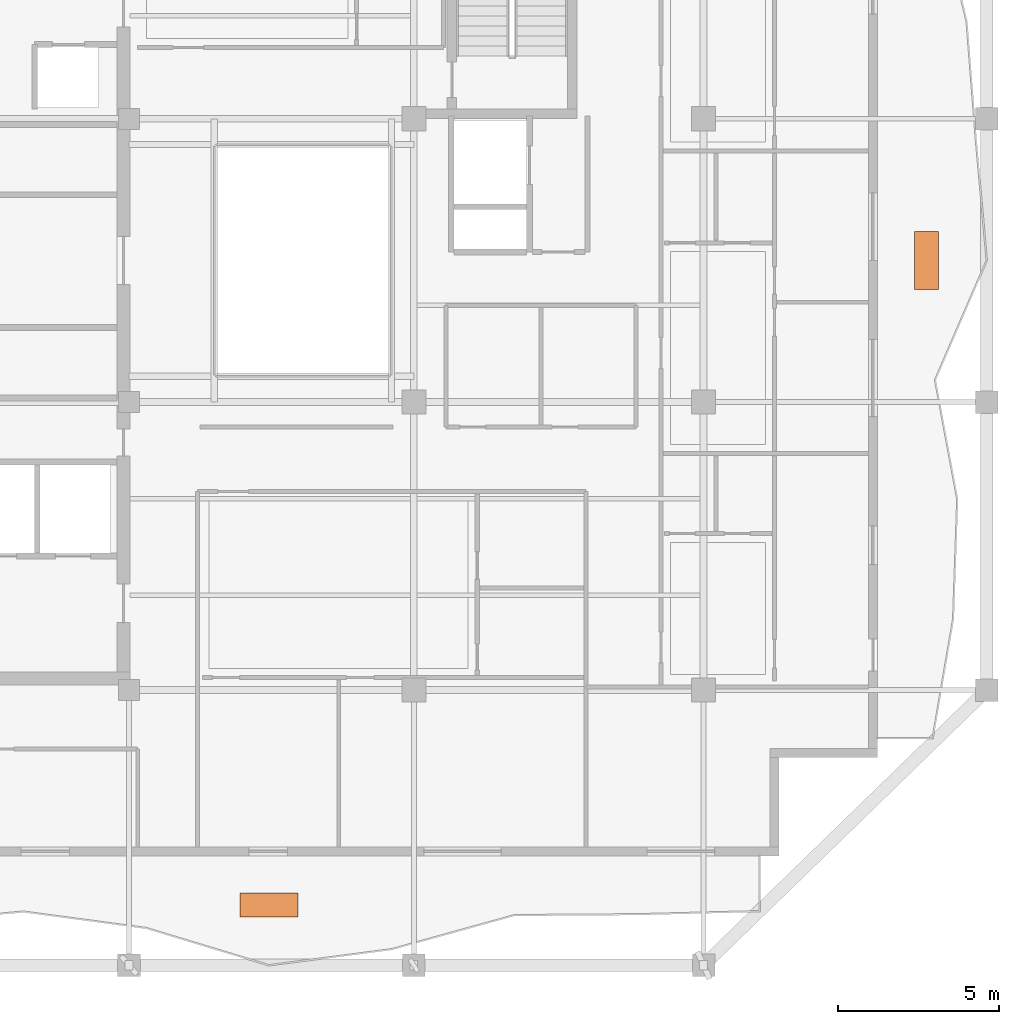
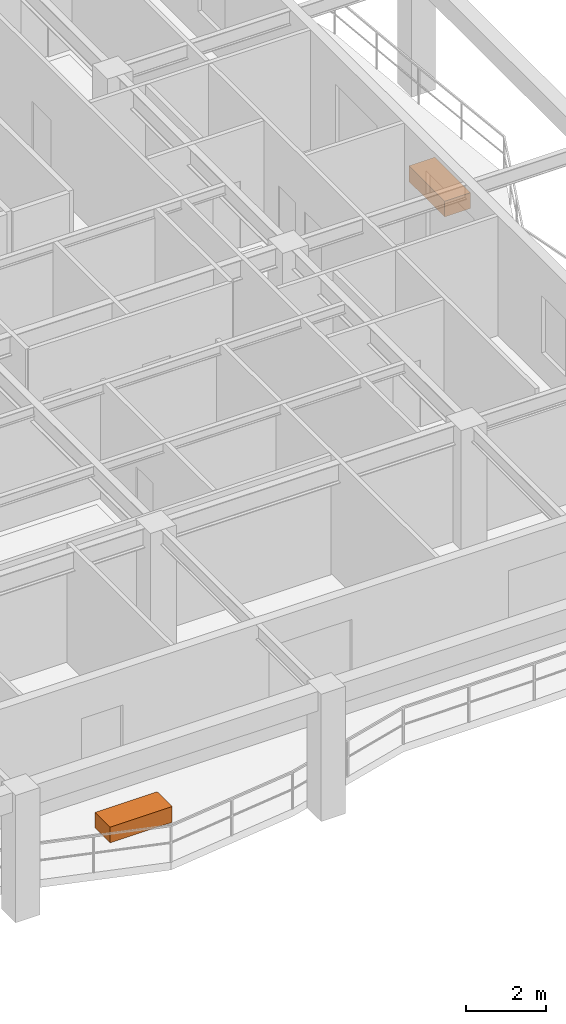
# One storey, part 10 of 10: 2 proxies.
"""IFC4 building model written with IfcOpenShell, lengths in metres."""

from ifc_helpers import new_model, si_unit, direction, frame, origin, origin_2d, place, context, subcontext, project, spatial, rectangle, extrude, material, type_object, element, save


model = new_model("IFC4")

# Units and contexts
model_context = context("Model", 3, precision=1e-05, world=origin(), true_north=direction((0.0, 1.0)))
body_context = subcontext(model_context, "Body", "Model", "MODEL_VIEW")
ifc_project = project(units=[si_unit("LENGTHUNIT", "METRE"), si_unit("AREAUNIT", "SQUARE_METRE"), si_unit("VOLUMEUNIT", "CUBIC_METRE"), si_unit("PLANEANGLEUNIT", "RADIAN"), si_unit("MASSUNIT", "GRAM", prefix="KILO")], contexts=[model_context])

# Site, building, storey
site_placement = place(None, origin())
site = spatial("IfcSite", under=ifc_project, at=site_placement, CompositionType="ELEMENT")
building_placement = place(site_placement, origin())
building = spatial("IfcBuilding", under=site, at=building_placement, Name="Kundavana Baori Tower", CompositionType="ELEMENT")
storey_placement = place(building_placement, frame((0.0, 0.0, 292.10009765625)))
storey = spatial("IfcBuildingStorey", under=building, at=storey_placement, Name="L72", CompositionType="ELEMENT", Elevation=292.10009765625)

# Proxies
ifc_material = material(Name="Red-Buff Dholpur Sandstone Cladding on Concrete C40/50", Category="masonry")
building_element_proxy_type = type_object("IfcBuildingElementProxyType", Name="PRX-PLANTER-1800", PredefinedType="USERDEFINED", material=ifc_material)
for number, where, z_axis, x_axis, name in (
    (1, (29.300048828125, 8.570068359375, 0.0), (0.0, 0.0, 1.0), (1.0, 0.0, 0.0), "L72 Dholpur Stone Structural Tree Planter S"),
    (2, (49.72998046875, 28.60009765625, 0.0), (0.0, 0.0, 1.0), (0.0, 1.0, 0.0), "L72 Dholpur Stone Structural Tree Planter E"),
):
    element("IfcBuildingElementProxy", number, at=place(storey_placement, frame(where, z_axis=z_axis, x_axis=x_axis)), inside=storey, type_object=building_element_proxy_type, Name=name, ObjectType="PLANTER", PredefinedType="USERDEFINED", context=body_context, shape_type="SweptSolid", body=[
        extrude(rectangle(XDim=1.800048828125, YDim=0.75, at=origin_2d()), origin(), (0.0, 0.0, 1.0), 0.47998046875),
    ])

save(model, "model.ifc")
